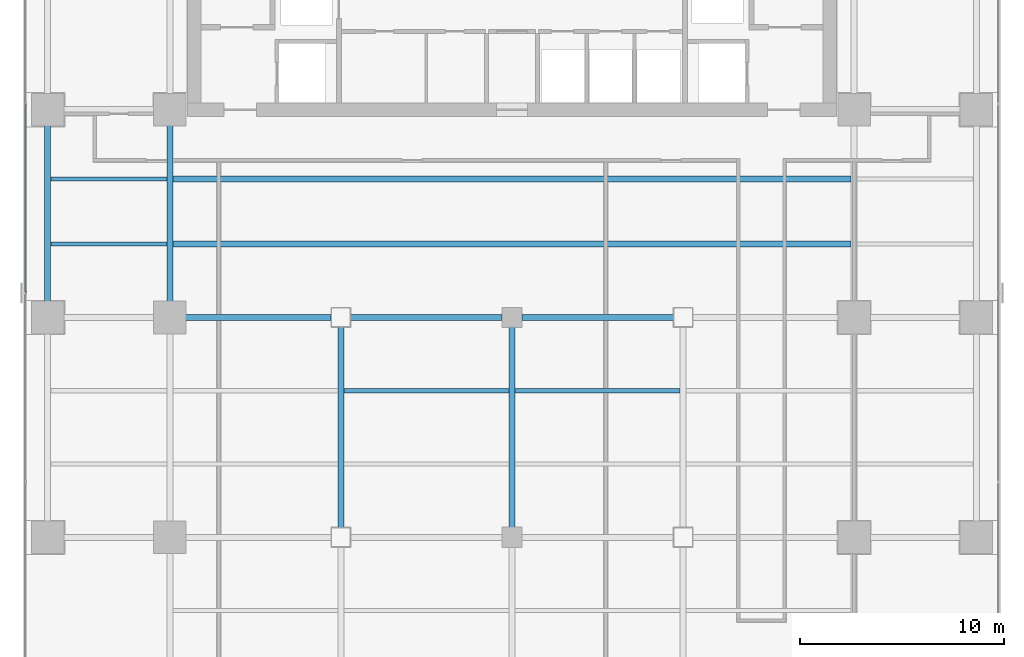
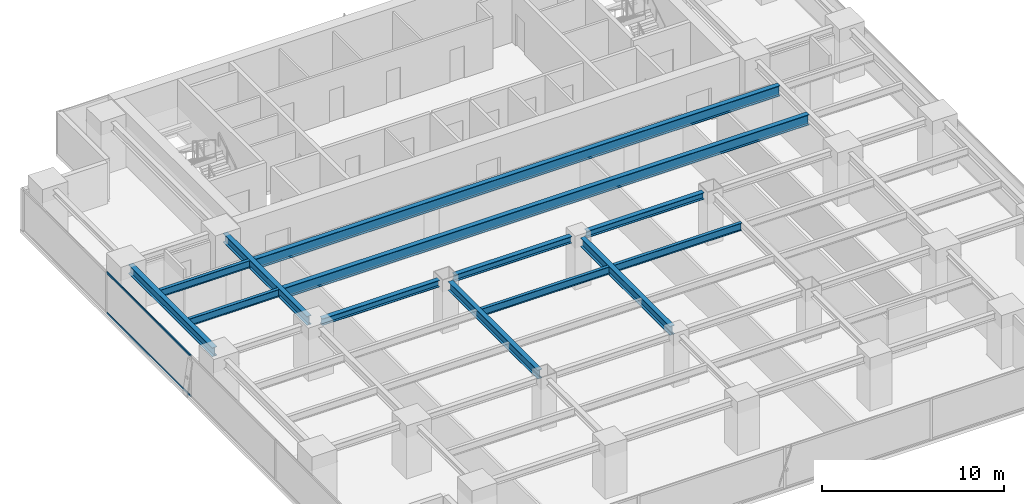
# One storey, part 8 of 27: 13 beams, 2 members, 1 element without a shape of its own.
"""IFC4 building model written with IfcOpenShell, lengths in metres."""

from ifc_helpers import new_model, si_unit, direction, frame, origin, origin_2d, place, context, subcontext, project, spatial, hollow_rectangle, i_section, extrude, source, transform, mapped, material, layer, layer_set, material_profile, profile_set, type_object, element, aggregate, save


model = new_model("IFC4")

# Units and contexts
model_context = context("Model", 3, precision=1e-05, world=origin(), true_north=direction((0.0, 1.0)))
body_context = subcontext(model_context, "Body", "Model", "MODEL_VIEW")
ifc_project = project(units=[si_unit("LENGTHUNIT", "METRE"), si_unit("AREAUNIT", "SQUARE_METRE"), si_unit("VOLUMEUNIT", "CUBIC_METRE"), si_unit("PLANEANGLEUNIT", "RADIAN"), si_unit("MASSUNIT", "GRAM", prefix="KILO")], contexts=[model_context])

# Site, building, storey
site_placement = place(None, origin())
site = spatial("IfcSite", under=ifc_project, at=site_placement, CompositionType="ELEMENT")
building_placement = place(site_placement, origin())
building = spatial("IfcBuilding", under=site, at=building_placement, Name="Sumidabori Civic Tower", CompositionType="ELEMENT")
storey_placement = place(building_placement, frame((0.0, 0.0, 156.800048828125)))
storey = spatial("IfcBuildingStorey", under=building, at=storey_placement, Name="L40", CompositionType="ELEMENT", Elevation=156.800048828125)

# Beams
ifc_material_1 = material(Name="Steel SN490", Category="steel")
ifc_material_profile_1 = material_profile(ifc_material_1, i_section(OverallWidth=0.300048828125, OverallDepth=0.60009765625, WebThickness=0.015380859375, FlangeThickness=0.030029296875, at=origin_2d()), Name="HE 600 B")
ifc_profile_set_1 = profile_set([ifc_material_profile_1], Name="Steel SN490")
beam_type_1 = type_object("IfcBeamType", Name="BM-GIRD-600", PredefinedType="BEAM", material=ifc_profile_set_1)
shared_shape_1 = source(origin(), body_context, "Body", "SweptSolid", [
    extrude(i_section(OverallWidth=0.300048828125, OverallDepth=0.60009765625, WebThickness=0.015380859375, FlangeThickness=0.030029296875, at=origin_2d()), origin(), (0.0, 0.0, 1.0), 9.840087890625),
])
for number, where, z_axis, x_axis, name in (
    (1, (-8.39990234375, -10.320068359375, 3.079833984375), (0.0, 1.0, 0.0), (-1.0, 0.0, 0.0), "Primary Girder L40 GY-27"),
    (2, (0.0, -10.320068359375, 3.079833984375), (0.0, 1.0, 0.0), (-1.0, 0.0, 0.0), "Primary Girder L40 GY-29"),
):
    element("IfcBeam", number, at=place(storey_placement, frame(where, z_axis=z_axis, x_axis=x_axis)), inside=storey, type_object=beam_type_1, Name=name, PredefinedType="BEAM", context=body_context, shape_type="MappedRepresentation", body=[
        mapped(shared_shape_1, transform((0.0, 0.0, 0.0), x_axis=(1.0, 0.0, 0.0), y_axis=(0.0, 1.0, 0.0), z_axis=(0.0, 0.0, 1.0), scale=1.0)),
    ])
shared_shape_2 = source(origin(), body_context, "Body", "SweptSolid", [
    extrude(i_section(OverallWidth=0.300048828125, OverallDepth=0.60009765625, WebThickness=0.015380859375, FlangeThickness=0.030029296875, at=origin_2d()), origin(), (0.0, 0.0, 1.0), 9.239990234375),
])
for number, where, z_axis, x_axis, name in (
    (3, (-22.800048828125, 0.47998046875, 3.079833984375), (0.0, 1.0, 0.0), (-1.0, 0.0, 0.0), "Primary Girder L40 GY-20"),
    (4, (-16.800048828125, 0.47998046875, 3.079833984375), (0.0, 1.0, 0.0), (-1.0, 0.0, 0.0), "Primary Girder L40 GY-24"),
):
    element("IfcBeam", number, at=place(storey_placement, frame(where, z_axis=z_axis, x_axis=x_axis)), inside=storey, type_object=beam_type_1, Name=name, PredefinedType="BEAM", context=body_context, shape_type="MappedRepresentation", body=[
        mapped(shared_shape_2, transform((0.0, 0.0, 0.0), x_axis=(1.0, 0.0, 0.0), y_axis=(0.0, 1.0, 0.0), z_axis=(0.0, 0.0, 1.0), scale=1.0)),
    ])
ifc_material_profile_2 = material_profile(ifc_material_1, i_section(OverallWidth=0.199951171875, OverallDepth=0.5, WebThickness=0.01025390625, FlangeThickness=0.01611328125, at=origin_2d()), Name="IPE 500")
ifc_profile_set_2 = profile_set([ifc_material_profile_2], Name="Steel SN490")
beam_type_2 = type_object("IfcBeamType", Name="BM-JST-500", PredefinedType="JOIST", material=ifc_profile_set_2)
shared_shape_3 = source(origin(), body_context, "Body", "SweptSolid", [
    extrude(i_section(OverallWidth=0.199951171875, OverallDepth=0.5, WebThickness=0.01025390625, FlangeThickness=0.01611328125, at=origin_2d()), origin(), (0.0, 0.0, 1.0), 5.699951171875),
])
for number, where, z_axis, x_axis, name in (
    (5, (-22.64990234375, 3.60009765625, 3.1298828125), (1.0, 0.0, 0.0), (0.0, 1.0, 0.0), "Outer Bay Floor Joist L40 JSTO-43"),
    (6, (-22.64990234375, 6.800048828125, 3.1298828125), (1.0, 0.0, 0.0), (0.0, 1.0, 0.0), "Outer Bay Floor Joist L40 JSTO-45"),
):
    element("IfcBeam", number, at=place(storey_placement, frame(where, z_axis=z_axis, x_axis=x_axis)), inside=storey, type_object=beam_type_2, Name=name, PredefinedType="JOIST", context=body_context, shape_type="MappedRepresentation", body=[
        mapped(shared_shape_3, transform((0.0, 0.0, 0.0), x_axis=(1.0, 0.0, 0.0), y_axis=(0.0, 1.0, 0.0), z_axis=(0.0, 0.0, 1.0), scale=1.0)),
    ])
ifc_material_profile_3 = material_profile(ifc_material_1, i_section(OverallWidth=0.300048828125, OverallDepth=0.699951171875, WebThickness=0.01708984375, FlangeThickness=0.031982421875, at=origin_2d()), Name="HE 700 B")
ifc_profile_set_3 = profile_set([ifc_material_profile_3], Name="Steel SN490")
beam_type_3 = type_object("IfcBeamType", Name="BM-GIRD-700", PredefinedType="BEAM", material=ifc_profile_set_3)
shared_shape_4 = source(origin(), body_context, "Body", "SweptSolid", [
    extrude(i_section(OverallWidth=0.300048828125, OverallDepth=0.699951171875, WebThickness=0.01708984375, FlangeThickness=0.031982421875, at=origin_2d()), origin(), (0.0, 0.0, 1.0), 33.2998046875),
])
for number, where, z_axis, x_axis, name in (
    (7, (-16.64990234375, 3.60009765625, 3.030029296875), (1.0, 0.0, 0.0), (0.0, 1.0, 0.0), "North Bay Floor Beam L40 JSTN-47"),
    (8, (-16.64990234375, 6.800048828125, 3.030029296875), (1.0, 0.0, 0.0), (0.0, 1.0, 0.0), "North Bay Floor Beam L40 JSTN-48"),
):
    element("IfcBeam", number, at=place(storey_placement, frame(where, z_axis=z_axis, x_axis=x_axis)), inside=storey, type_object=beam_type_3, Name=name, PredefinedType="BEAM", context=body_context, shape_type="MappedRepresentation", body=[
        mapped(shared_shape_4, transform((0.0, 0.0, 0.0), x_axis=(1.0, 0.0, 0.0), y_axis=(0.0, 1.0, 0.0), z_axis=(0.0, 0.0, 1.0), scale=1.0)),
    ])
shared_shape_5 = source(origin(), body_context, "Body", "SweptSolid", [
    extrude(i_section(OverallWidth=0.199951171875, OverallDepth=0.5, WebThickness=0.01025390625, FlangeThickness=0.01611328125, at=origin_2d()), origin(), (0.0, 0.0, 1.0), 8.10009765625),
])
for number, where, z_axis, x_axis, name in (
    (9, (-8.25, -3.60009765625, 3.1298828125), (1.0, 0.0, 0.0), (0.0, 1.0, 0.0), "South Bay Floor Joist L40 JSTS-58"),
    (10, (0.14990234375, -3.60009765625, 3.1298828125), (1.0, 0.0, 0.0), (0.0, 1.0, 0.0), "South Bay Floor Joist L40 JSTS-59"),
):
    element("IfcBeam", number, at=place(storey_placement, frame(where, z_axis=z_axis, x_axis=x_axis)), inside=storey, type_object=beam_type_2, Name=name, PredefinedType="JOIST", context=body_context, shape_type="MappedRepresentation", body=[
        mapped(shared_shape_5, transform((0.0, 0.0, 0.0), x_axis=(1.0, 0.0, 0.0), y_axis=(0.0, 1.0, 0.0), z_axis=(0.0, 0.0, 1.0), scale=1.0)),
    ])
ifc_material_profile_4 = material_profile(ifc_material_1, i_section(OverallWidth=0.300048828125, OverallDepth=0.449951171875, WebThickness=0.013916015625, FlangeThickness=0.02587890625, at=origin_2d()), Name="HE 450 B")
ifc_profile_set_4 = profile_set([ifc_material_profile_4], Name="Steel SN490")
beam_type_4 = type_object("IfcBeamType", Name="BM-GIRD-450", PredefinedType="BEAM", material=ifc_profile_set_4)
shared_shape_6 = source(origin(), body_context, "Body", "SweptSolid", [
    extrude(i_section(OverallWidth=0.300048828125, OverallDepth=0.449951171875, WebThickness=0.013916015625, FlangeThickness=0.02587890625, at=origin_2d()), origin(), (0.0, 0.0, 1.0), 7.440185546875),
])
beam_placement = place(storey_placement, frame((-16.320068359375, 0.0, 3.155029296875), z_axis=(1.0, 0.0, 0.0), x_axis=(0.0, 1.0, 0.0)))
element("IfcBeam", 11, at=beam_placement, inside=storey, type_object=beam_type_4, Name="Primary Girder L40 GX-12", PredefinedType="BEAM", context=body_context, shape_type="MappedRepresentation", body=[
    mapped(shared_shape_6, transform((0.0, 0.0, 0.0), x_axis=(1.0, 0.0, 0.0), y_axis=(0.0, 1.0, 0.0), z_axis=(0.0, 0.0, 1.0), scale=1.0)),
])
shared_shape_7 = source(origin(), body_context, "Body", "SweptSolid", [
    extrude(i_section(OverallWidth=0.300048828125, OverallDepth=0.449951171875, WebThickness=0.013916015625, FlangeThickness=0.02587890625, at=origin_2d()), origin(), (0.0, 0.0, 1.0), 7.43994140625),
])
for number, where, z_axis, x_axis, name in (
    (12, (-7.919921875, 0.0, 3.155029296875), (1.0, 0.0, 0.0), (0.0, 1.0, 0.0), "Primary Girder L40 GX-13"),
    (13, (0.47998046875, 0.0, 3.155029296875), (1.0, 0.0, 0.0), (0.0, 1.0, 0.0), "Primary Girder L40 GX-14"),
):
    element("IfcBeam", number, at=place(storey_placement, frame(where, z_axis=z_axis, x_axis=x_axis)), inside=storey, type_object=beam_type_4, Name=name, PredefinedType="BEAM", context=body_context, shape_type="MappedRepresentation", body=[
        mapped(shared_shape_7, transform((0.0, 0.0, 0.0), x_axis=(1.0, 0.0, 0.0), y_axis=(0.0, 1.0, 0.0), z_axis=(0.0, 0.0, 1.0), scale=1.0)),
    ])

# Curtain wall, members
ifc_material_2 = material(Name="Anodised Bronze Aluminium AW-6063-T6", Category="aluminium")
ifc_layer = layer(ifc_material_2, 0.179931640625, Name="Anodised Bronze Aluminium AW-6063-T6")
ifc_layer_set = layer_set([ifc_layer], Name="Anodised Bronze Aluminium AW-6063-T6")
curtain_wall_type = type_object("IfcCurtainWallType", Name="CW-SYS-3", PredefinedType="NOTDEFINED", material=ifc_layer_set)
curtain_wall_placement = place(storey_placement, origin())
curtain_wall = element("IfcCurtainWall", 14, at=curtain_wall_placement, inside=storey, type_object=curtain_wall_type, Name="Curtain Wall CW:L40:R10", PredefinedType="NOTDEFINED")
ifc_material_profile_5 = material_profile(ifc_material_2, hollow_rectangle(XDim=0.06005859375, YDim=0.1298828125, WallThickness=0.0048828125, at=origin_2d()), Name="ALU TRANSOM 130x60")
ifc_profile_set_5 = profile_set([ifc_material_profile_5], Name="Anodised Bronze Aluminium AW-6063-T6")
member_type = type_object("IfcMemberType", Name="CW-TRN-130", PredefinedType="USERDEFINED", material=ifc_profile_set_5)
shared_shape_8 = source(origin(), body_context, "Body", "SweptSolid", [
    extrude(hollow_rectangle(XDim=0.06005859375, YDim=0.1298828125, WallThickness=0.0048828125, at=origin_2d()), origin(), (0.0, 0.0, 1.0), 9.219970703125),
])
member_1_placement = place(storey_placement, frame((-23.8798828125, 10.452392578125, 0.030029296875), z_axis=(0.0, -1.0, 0.0), x_axis=(1.0, 0.0, 0.0)))
member_1 = element("IfcMember", 15, at=member_1_placement, type_object=member_type, Name="CW-3 transom 2.1", ObjectType="TRANSOM", PredefinedType="USERDEFINED", context=body_context, shape_type="MappedRepresentation", body=[
    mapped(shared_shape_8, transform((0.0, 0.0, 0.0), x_axis=(1.0, 0.0, 0.0), y_axis=(0.0, 1.0, 0.0), z_axis=(0.0, 0.0, 1.0), scale=1.0)),
])
member_2_placement = place(storey_placement, frame((-23.8798828125, 10.452392578125, 2.72998046875), z_axis=(0.0, -1.0, 0.0), x_axis=(1.0, 0.0, 0.0)))
member_2 = element("IfcMember", 16, at=member_2_placement, type_object=member_type, Name="CW-3 transom 2.2", ObjectType="TRANSOM", PredefinedType="USERDEFINED", context=body_context, shape_type="MappedRepresentation", body=[
    mapped(shared_shape_8, transform((0.0, 0.0, 0.0), x_axis=(1.0, 0.0, 0.0), y_axis=(0.0, 1.0, 0.0), z_axis=(0.0, 0.0, 1.0), scale=1.0)),
])
aggregate(curtain_wall, [member_1, member_2])

save(model, "model.ifc")
